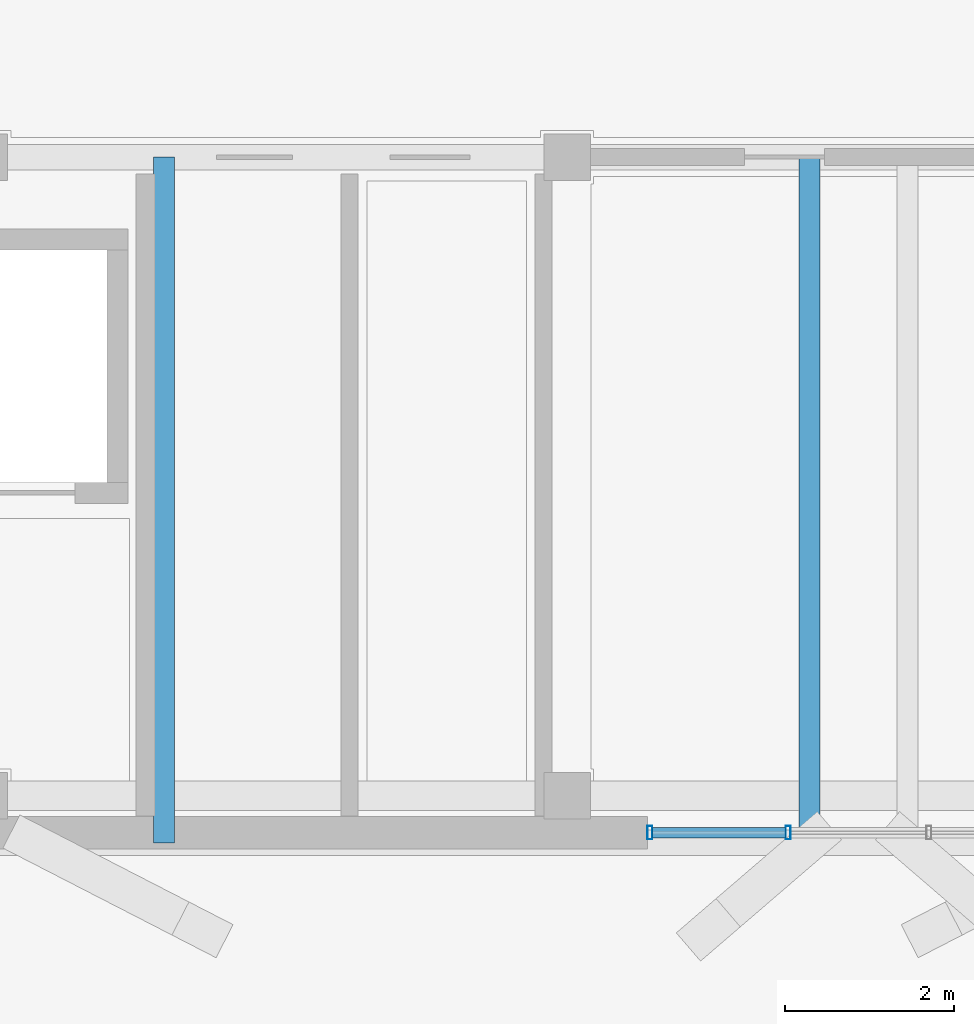
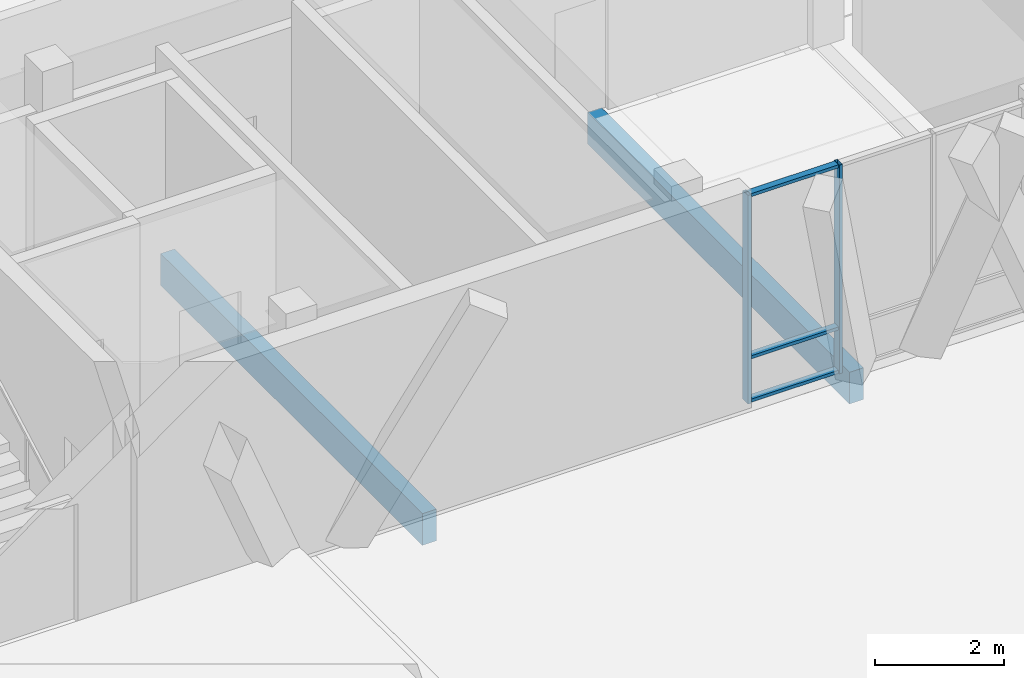
# One storey, part 164 of 233: 5 members, 2 beams, 1 element without a shape of its own.
"""IFC4 building model written with IfcOpenShell, lengths in metres."""

from ifc_helpers import new_model, si_unit, direction, frame, origin, origin_2d, place, context, subcontext, project, spatial, rectangle, hollow_rectangle, extrude, material, material_profile, profile_set, type_object, element, aggregate, save


model = new_model("IFC4")

# Units and contexts
model_context = context("Model", 3, precision=1e-05, world=origin(), true_north=direction((0.0, 1.0)))
body_context = subcontext(model_context, "Body", "Model", "MODEL_VIEW")
ifc_project = project(units=[si_unit("LENGTHUNIT", "METRE"), si_unit("AREAUNIT", "SQUARE_METRE"), si_unit("VOLUMEUNIT", "CUBIC_METRE"), si_unit("PLANEANGLEUNIT", "RADIAN"), si_unit("MASSUNIT", "GRAM", prefix="KILO")], contexts=[model_context])

# Site, building, storey
site_placement = place(None, origin())
site = spatial("IfcSite", under=ifc_project, at=site_placement, CompositionType="ELEMENT")
building_placement = place(site_placement, origin())
building = spatial("IfcBuilding", under=site, at=building_placement, Name="Zavelmont Quarter", CompositionType="ELEMENT")
storey_placement = place(building_placement, origin())
storey = spatial("IfcBuildingStorey", under=building, at=storey_placement, Name="L00", CompositionType="ELEMENT", Elevation=0.0)

# Beams
ifc_material_1 = material(Name="Concrete C40/50", Category="concrete")
ifc_material_profile_1 = material_profile(ifc_material_1, rectangle(XDim=0.25, YDim=0.60009765625, at=origin_2d()), Name="RC250X600")
ifc_profile_set_1 = profile_set([ifc_material_profile_1], Name="Concrete C40/50")
beam_type = type_object("IfcBeamType", Name="BM18", PredefinedType="BEAM", material=ifc_profile_set_1)
for number, where, z_axis, x_axis, name in (
    (1, (135.625, 105.60009765625, -0.300048828125), (0.0, -1.0, 0.0), (1.0, 0.0, 0.0), "L00 beam BM18 20/Q to 20/P"),
    (2, (143.27001953125, 105.60009765625, -0.300048828125), (0.0, -1.0, 0.0), (1.0, 0.0, 0.0), "L00 beam BM18 21/Q to 21/P"),
):
    element("IfcBeam", number, at=place(storey_placement, frame(where, z_axis=z_axis, x_axis=x_axis)), inside=storey, type_object=beam_type, Name=name, PredefinedType="BEAM", context=body_context, shape_type="SweptSolid", body=[
        extrude(rectangle(XDim=0.25, YDim=0.60009765625, at=origin_2d()), origin(), (0.0, 0.0, 1.0), 8.1201171875),
    ])

# Curtain wall, members
ifc_material_2 = material(Name="Thermally broken aluminium and double low-E safety glazing", Category="aluminium")
curtain_wall_type = type_object("IfcCurtainWallType", Name="CW-500X395", PredefinedType="NOTDEFINED", material=ifc_material_2)
curtain_wall_placement = place(storey_placement, origin())
curtain_wall = element("IfcCurtainWall", 3, at=curtain_wall_placement, inside=storey, type_object=curtain_wall_type, Name="L00 unitised curtain wall CW-500X395", PredefinedType="NOTDEFINED")
ifc_material_3 = material(Name="Powder-coated aluminium EN AW-6063-T6", Category="aluminium")
ifc_material_profile_2 = material_profile(ifc_material_3, hollow_rectangle(XDim=0.06005859375, YDim=0.159912109375, WallThickness=0.00390625, at=origin_2d()), Name="CWM60X160")
ifc_profile_set_2 = profile_set([ifc_material_profile_2], Name="Powder-coated aluminium EN AW-6063-T6")
member_type_1 = type_object("IfcMemberType", Name="CWM01", PredefinedType="MULLION", material=ifc_profile_set_2)
member_1_placement = place(storey_placement, frame((141.3798828125, 97.60009765625, 0.0), z_axis=(0.0, 0.0, 1.0), x_axis=(1.0, 0.0, 0.0)))
member_1 = element("IfcMember", 4, at=member_1_placement, type_object=member_type_1, Name="CW-500X395 mullion 1", PredefinedType="MULLION", context=body_context, shape_type="SweptSolid", body=[
    extrude(hollow_rectangle(XDim=0.06005859375, YDim=0.159912109375, WallThickness=0.00390625, at=origin_2d()), origin(), (0.0, 0.0, 1.0), 3.949951171875),
])
member_2_placement = place(storey_placement, frame((143.0166015625, 97.60009765625, 0.0), z_axis=(0.0, 0.0, 1.0), x_axis=(1.0, 0.0, 0.0)))
member_2 = element("IfcMember", 5, at=member_2_placement, type_object=member_type_1, Name="CW-500X395 mullion 2", PredefinedType="MULLION", context=body_context, shape_type="SweptSolid", body=[
    extrude(hollow_rectangle(XDim=0.06005859375, YDim=0.159912109375, WallThickness=0.00390625, at=origin_2d()), origin(), (0.0, 0.0, 1.0), 3.949951171875),
])
ifc_material_profile_3 = material_profile(ifc_material_3, hollow_rectangle(XDim=0.1201171875, YDim=0.06005859375, WallThickness=0.00390625, at=origin_2d()), Name="CWT60X120")
ifc_profile_set_3 = profile_set([ifc_material_profile_3], Name="Powder-coated aluminium EN AW-6063-T6")
member_type_2 = type_object("IfcMemberType", Name="CWT01", PredefinedType="NOTDEFINED", material=ifc_profile_set_3)
member_3_placement = place(storey_placement, frame((141.409912109375, 97.60009765625, 0.030029296875), z_axis=(1.0, 0.0, 0.0), x_axis=(0.0, 1.0, 0.0)))
member_3 = element("IfcMember", 6, at=member_3_placement, type_object=member_type_2, Name="CW-500X395 transom 1.1", ObjectType="TRANSOM", PredefinedType="USERDEFINED", context=body_context, shape_type="SweptSolid", body=[
    extrude(hollow_rectangle(XDim=0.1201171875, YDim=0.06005859375, WallThickness=0.00390625, at=origin_2d()), origin(), (0.0, 0.0, 1.0), 1.57666015625),
])
member_4_placement = place(storey_placement, frame((141.409912109375, 97.60009765625, 0.85009765625), z_axis=(1.0, 0.0, 0.0), x_axis=(0.0, 1.0, 0.0)))
member_4 = element("IfcMember", 7, at=member_4_placement, type_object=member_type_2, Name="CW-500X395 transom 1.2", ObjectType="TRANSOM", PredefinedType="USERDEFINED", context=body_context, shape_type="SweptSolid", body=[
    extrude(hollow_rectangle(XDim=0.1201171875, YDim=0.06005859375, WallThickness=0.00390625, at=origin_2d()), origin(), (0.0, 0.0, 1.0), 1.57666015625),
])
member_5_placement = place(storey_placement, frame((141.409912109375, 97.60009765625, 3.919921875), z_axis=(1.0, 0.0, 0.0), x_axis=(0.0, 1.0, 0.0)))
member_5 = element("IfcMember", 8, at=member_5_placement, type_object=member_type_2, Name="CW-500X395 transom 1.3", ObjectType="TRANSOM", PredefinedType="USERDEFINED", context=body_context, shape_type="SweptSolid", body=[
    extrude(hollow_rectangle(XDim=0.1201171875, YDim=0.06005859375, WallThickness=0.00390625, at=origin_2d()), origin(), (0.0, 0.0, 1.0), 1.57666015625),
])
aggregate(curtain_wall, [member_1, member_2, member_3, member_4, member_5])

save(model, "model.ifc")
